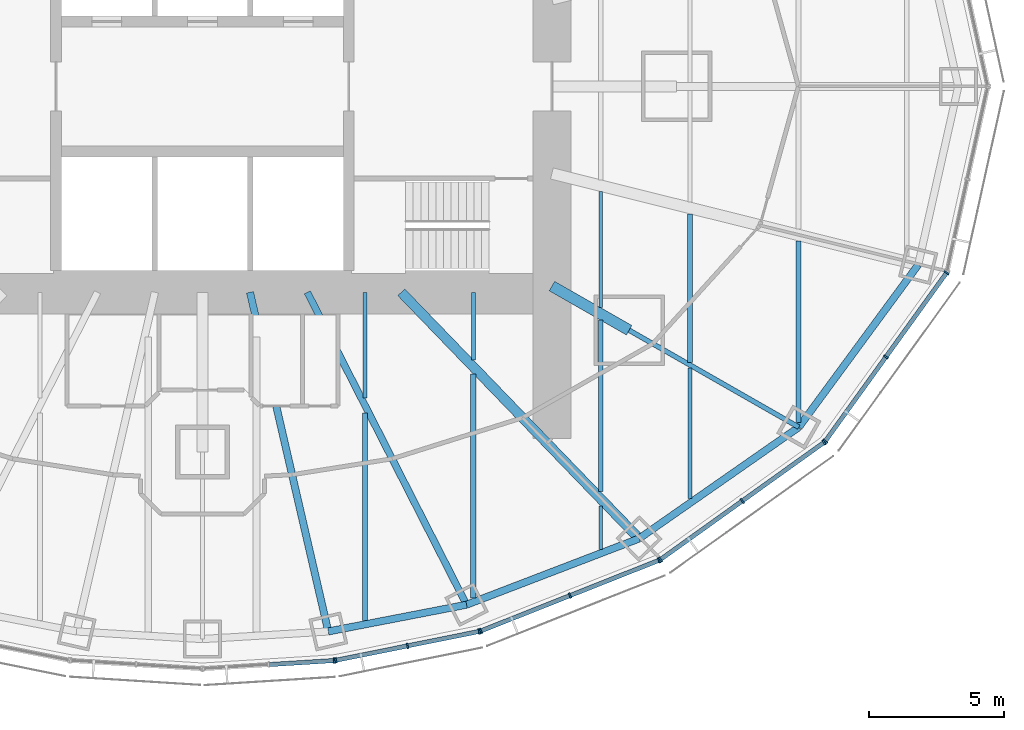
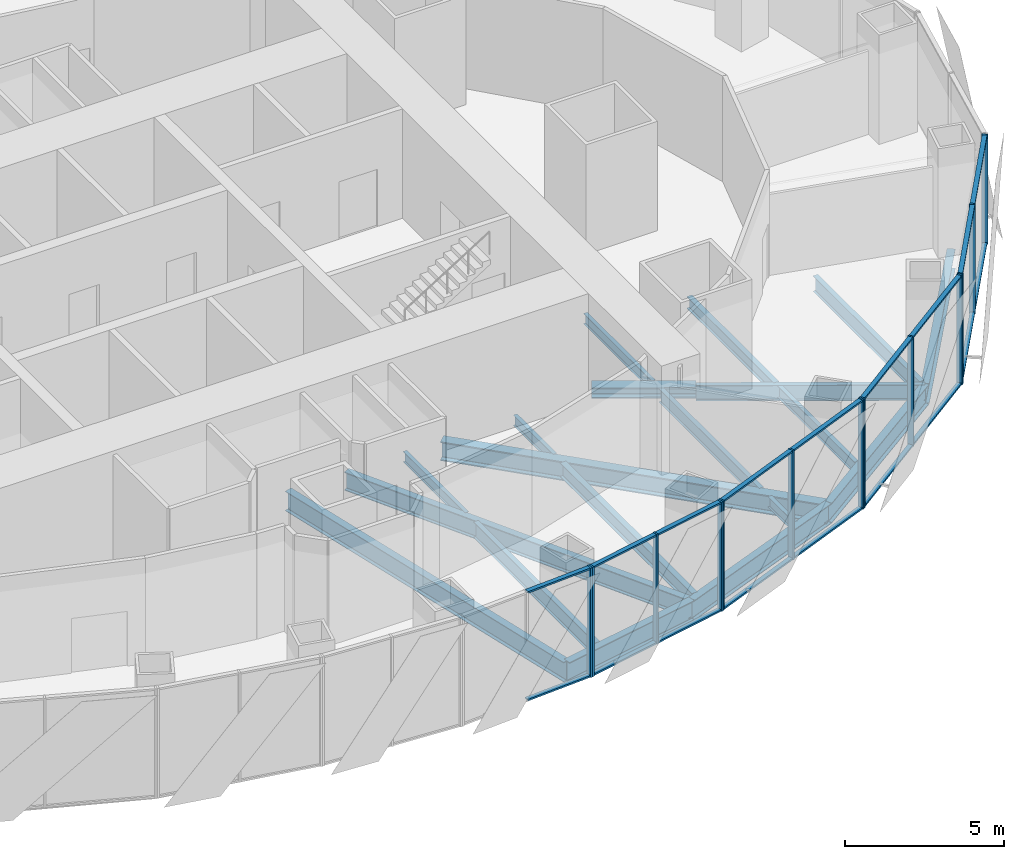
# One storey, part 5 of 17: 31 members, 19 beams, 5 elements without a shape of their own.
"""IFC4 building model written with IfcOpenShell, lengths in metres."""

from ifc_helpers import new_model, si_unit, direction, frame, origin, origin_2d, place, context, subcontext, project, spatial, rectangle, i_section, extrude, material, material_profile, profile_set, type_object, element, aggregate, save


model = new_model("IFC4")

# Units and contexts
model_context = context("Model", 3, precision=1e-05, world=origin(), true_north=direction((0.0, 1.0)))
body_context = subcontext(model_context, "Body", "Model", "MODEL_VIEW")
ifc_project = project(units=[si_unit("LENGTHUNIT", "METRE"), si_unit("AREAUNIT", "SQUARE_METRE"), si_unit("VOLUMEUNIT", "CUBIC_METRE"), si_unit("PLANEANGLEUNIT", "RADIAN"), si_unit("MASSUNIT", "GRAM", prefix="KILO")], contexts=[model_context])

# Site, building, storey
site_placement = place(None, origin())
site = spatial("IfcSite", under=ifc_project, at=site_placement, CompositionType="ELEMENT")
building_placement = place(site_placement, origin())
building = spatial("IfcBuilding", under=site, at=building_placement, Name="Lantaw Convention Tower", CompositionType="ELEMENT")
storey_placement = place(building_placement, frame((0.0, 0.0, 121.60009765625)))
storey = spatial("IfcBuildingStorey", under=building, at=storey_placement, Name="L28", CompositionType="ELEMENT", Elevation=121.60009765625)

# Beams
ifc_material_1 = material(Name="Steel ASTM A992", Category="steel")
ifc_material_profile_1 = material_profile(ifc_material_1, i_section(OverallWidth=0.2666015625, OverallDepth=0.76953125, WebThickness=0.015625, FlangeThickness=0.025390625, FilletRadius=0.0126953125, at=origin_2d()), Name="W30X132")
ifc_profile_set_1 = profile_set([ifc_material_profile_1], Name="Steel ASTM A992")
beam_type_1 = type_object("IfcBeamType", Name="Beam E W30X132", PredefinedType="SPANDREL", material=ifc_profile_set_1)
beam_1_placement = place(storey_placement, frame((4.64501953125, -20.1201171875, -0.534912109375), z_axis=(0.981796805654, 0.189934284446, 0.0), x_axis=(-0.189934284446, 0.981796805654, 0.0)))
element("IfcBeam", 1, at=beam_1_placement, inside=storey, type_object=beam_type_1, Name="Edge beam 20", PredefinedType="SPANDREL", context=body_context, shape_type="SweptSolid", body=[
    extrude(i_section(OverallWidth=0.2666015625, OverallDepth=0.76953125, WebThickness=0.015625, FlangeThickness=0.025390625, FilletRadius=0.0126953125, at=origin_2d()), origin(), (0.0, 0.0, 1.0), 5.1982421875),
])
beam_2_placement = place(storey_placement, frame((9.74853515625, -19.1328125, -0.534912109375), z_axis=(0.933691081977, 0.358079549033, 0.0), x_axis=(-0.358079549033, 0.933691081977, 0.0)))
element("IfcBeam", 2, at=beam_2_placement, inside=storey, type_object=beam_type_1, Name="Edge beam 21", PredefinedType="SPANDREL", context=body_context, shape_type="SweptSolid", body=[
    extrude(i_section(OverallWidth=0.2666015625, OverallDepth=0.76953125, WebThickness=0.015625, FlangeThickness=0.025390625, FilletRadius=0.0126953125, at=origin_2d()), origin(), (0.0, 0.0, 1.0), 6.821533203125),
])
beam_3_placement = place(storey_placement, frame((16.11767578125, -16.690185546875, -0.534912109375), z_axis=(0.820310765287, 0.57191804339, 0.0), x_axis=(-0.57191804339, 0.820310765287, 0.0)))
element("IfcBeam", 3, at=beam_3_placement, inside=storey, type_object=beam_type_1, Name="Edge beam 22", PredefinedType="SPANDREL", context=body_context, shape_type="SweptSolid", body=[
    extrude(i_section(OverallWidth=0.2666015625, OverallDepth=0.76953125, WebThickness=0.015625, FlangeThickness=0.025390625, FilletRadius=0.0126953125, at=origin_2d()), origin(), (0.0, 0.0, 1.0), 7.187744140625),
])
beam_4_placement = place(storey_placement, frame((22.013916015625, -12.579345703125, -0.534912109375), z_axis=(0.5923891972, 0.805651934176, 0.0), x_axis=(-0.805651934176, 0.5923891972, 0.0)))
element("IfcBeam", 4, at=beam_4_placement, inside=storey, type_object=beam_type_1, Name="Edge beam 23", PredefinedType="SPANDREL", context=body_context, shape_type="SweptSolid", body=[
    extrude(i_section(OverallWidth=0.2666015625, OverallDepth=0.76953125, WebThickness=0.015625, FlangeThickness=0.025390625, FilletRadius=0.0126953125, at=origin_2d()), origin(), (0.0, 0.0, 1.0), 7.437744140625),
])
ifc_material_profile_2 = material_profile(ifc_material_1, i_section(OverallWidth=0.177978515625, OverallDepth=0.599365234375, WebThickness=0.010009765625, FlangeThickness=0.012939453125, FilletRadius=0.012939453125, at=origin_2d()), Name="W24X55")
ifc_profile_set_2 = profile_set([ifc_material_profile_2], Name="Steel ASTM A992")
beam_type_2 = type_object("IfcBeamType", Name="Beam G W24X55", PredefinedType="BEAM", material=ifc_profile_set_2)
beam_5_placement = place(storey_placement, frame((15.75, -9.0, -0.44970703125), z_axis=(0.868245224608, -0.496135293993, 0.0), x_axis=(0.496135293993, 0.868245224608, 0.0)))
element("IfcBeam", 5, at=beam_5_placement, inside=storey, type_object=beam_type_2, Name="Floor girder on ray 23", PredefinedType="BEAM", context=body_context, shape_type="SweptSolid", body=[
    extrude(i_section(OverallWidth=0.177978515625, OverallDepth=0.599365234375, WebThickness=0.010009765625, FlangeThickness=0.012939453125, FilletRadius=0.012939453125, at=origin_2d()), origin(), (0.0, 0.0, 1.0), 7.21435546875),
])
ifc_material_profile_3 = material_profile(ifc_material_1, i_section(OverallWidth=0.25390625, OverallDepth=0.700927734375, WebThickness=0.015380859375, FlangeThickness=0.02783203125, FilletRadius=0.01513671875, at=origin_2d()), Name="W27X129")
ifc_profile_set_3 = profile_set([ifc_material_profile_3], Name="Steel ASTM A992")
beam_type_3 = type_object("IfcBeamType", Name="Beam G W27X129", PredefinedType="BEAM", material=ifc_profile_set_3)
beam_6_placement = place(storey_placement, frame((3.872314453125, -7.60009765625, -0.500732421875), z_axis=(0.453991051051, -0.891006243281, 0.0), x_axis=(0.891006243281, 0.453991051051, 0.0)))
element("IfcBeam", 6, at=beam_6_placement, inside=storey, type_object=beam_type_3, Name="Floor girder on ray 21", PredefinedType="BEAM", context=body_context, shape_type="SweptSolid", body=[
    extrude(i_section(OverallWidth=0.25390625, OverallDepth=0.700927734375, WebThickness=0.015380859375, FlangeThickness=0.02783203125, FilletRadius=0.01513671875, at=origin_2d()), origin(), (0.0, 0.0, 1.0), 12.943359375),
])
ifc_material_profile_4 = material_profile(ifc_material_1, i_section(OverallWidth=0.360595703125, OverallDepth=0.72900390625, WebThickness=0.023193359375, FlangeThickness=0.041015625, FilletRadius=0.0126953125, at=origin_2d()), Name="W27X235")
ifc_profile_set_4 = profile_set([ifc_material_profile_4], Name="Steel ASTM A992")
beam_type_4 = type_object("IfcBeamType", Name="Beam G W27X235", PredefinedType="BEAM", material=ifc_profile_set_4)
beam_7_placement = place(storey_placement, frame((7.33935546875, -7.60009765625, -0.5146484375), z_axis=(0.694663467407, -0.719334878239, 0.0), x_axis=(0.719334878239, 0.694663467407, 0.0)))
element("IfcBeam", 7, at=beam_7_placement, inside=storey, type_object=beam_type_4, Name="Floor girder on ray 22", PredefinedType="BEAM", context=body_context, shape_type="SweptSolid", body=[
    extrude(i_section(OverallWidth=0.360595703125, OverallDepth=0.72900390625, WebThickness=0.023193359375, FlangeThickness=0.041015625, FilletRadius=0.0126953125, at=origin_2d()), origin(), (0.0, 0.0, 1.0), 12.63671875),
])
ifc_material_profile_5 = material_profile(ifc_material_1, i_section(OverallWidth=0.2666015625, OverallDepth=0.7568359375, WebThickness=0.013916015625, FlangeThickness=0.019287109375, FilletRadius=0.0126953125, at=origin_2d()), Name="W30X108")
ifc_profile_set_5 = profile_set([ifc_material_profile_5], Name="Steel ASTM A992")
beam_type_5 = type_object("IfcBeamType", Name="Beam G W30X108", PredefinedType="BEAM", material=ifc_profile_set_5)
beam_8_placement = place(storey_placement, frame((1.754638671875, -7.60009765625, -0.528564453125), z_axis=(0.224944153104, -0.974371658036, 0.0), x_axis=(0.974371658036, 0.224944153104, 0.0)))
element("IfcBeam", 8, at=beam_8_placement, inside=storey, type_object=beam_type_5, Name="Floor girder on ray 20", PredefinedType="BEAM", context=body_context, shape_type="SweptSolid", body=[
    extrude(i_section(OverallWidth=0.2666015625, OverallDepth=0.7568359375, WebThickness=0.013916015625, FlangeThickness=0.019287109375, FilletRadius=0.0126953125, at=origin_2d()), origin(), (0.0, 0.0, 1.0), 12.849365234375),
])
ifc_material_profile_6 = material_profile(ifc_material_1, i_section(OverallWidth=0.40380859375, OverallDepth=0.406494140625, WebThickness=0.027099609375, FlangeThickness=0.043701171875, FilletRadius=0.01513671875, at=origin_2d()), Name="W14X233")
ifc_profile_set_6 = profile_set([ifc_material_profile_6], Name="Steel ASTM A992")
beam_type_6 = type_object("IfcBeamType", Name="Beam GM W14X233", PredefinedType="BEAM", material=ifc_profile_set_6)
beam_9_placement = place(storey_placement, frame((12.89990234375, -7.371337890625, -0.353271484375), z_axis=(0.868238565244, -0.496146947811, 0.0), x_axis=(0.496146947811, 0.868238565244, 0.0)))
element("IfcBeam", 9, at=beam_9_placement, inside=storey, type_object=beam_type_6, Name="Core link beam on ray 23", PredefinedType="BEAM", context=body_context, shape_type="SweptSolid", body=[
    extrude(i_section(OverallWidth=0.40380859375, OverallDepth=0.406494140625, WebThickness=0.027099609375, FlangeThickness=0.043701171875, FilletRadius=0.01513671875, at=origin_2d()), origin(), (0.0, 0.0, 1.0), 3.28271484375),
])
ifc_material_profile_7 = material_profile(ifc_material_1, i_section(OverallWidth=0.140380859375, OverallDepth=0.40380859375, WebThickness=0.007080078125, FlangeThickness=0.01123046875, FilletRadius=0.01025390625, at=origin_2d()), Name="W16X31")
ifc_profile_set_7 = profile_set([ifc_material_profile_7], Name="Steel ASTM A992")
beam_type_7 = type_object("IfcBeamType", Name="Beam J W16X31", PredefinedType="JOIST", material=ifc_profile_set_7)
beam_10_placement = place(storey_placement, frame((6.0, -11.495849609375, -0.35205078125), z_axis=(0.0, 1.0, 0.0), x_axis=(-1.0, 0.0, 0.0)))
element("IfcBeam", 10, at=beam_10_placement, inside=storey, type_object=beam_type_7, Name="Floor joist", PredefinedType="JOIST", context=body_context, shape_type="SweptSolid", body=[
    extrude(i_section(OverallWidth=0.140380859375, OverallDepth=0.40380859375, WebThickness=0.007080078125, FlangeThickness=0.01123046875, FilletRadius=0.01025390625, at=origin_2d()), origin(), (0.0, 0.0, 1.0), 3.895751953125),
])
beam_11_placement = place(storey_placement, frame((10.0, -10.095703125, -0.35205078125), z_axis=(0.0, 1.0, 0.0), x_axis=(-1.0, 0.0, 0.0)))
element("IfcBeam", 11, at=beam_11_placement, inside=storey, type_object=beam_type_7, Name="Floor joist", PredefinedType="JOIST", context=body_context, shape_type="SweptSolid", body=[
    extrude(i_section(OverallWidth=0.140380859375, OverallDepth=0.40380859375, WebThickness=0.007080078125, FlangeThickness=0.01123046875, FilletRadius=0.01025390625, at=origin_2d()), origin(), (0.0, 0.0, 1.0), 2.49560546875),
])
beam_12_placement = place(storey_placement, frame((14.699951171875, -17.091064453125, -0.35205078125), z_axis=(0.0, 1.0, 0.0), x_axis=(-1.0, 0.0, 0.0)))
element("IfcBeam", 12, at=beam_12_placement, inside=storey, type_object=beam_type_7, Name="Floor joist", PredefinedType="JOIST", context=body_context, shape_type="SweptSolid", body=[
    extrude(i_section(OverallWidth=0.140380859375, OverallDepth=0.40380859375, WebThickness=0.007080078125, FlangeThickness=0.01123046875, FilletRadius=0.01025390625, at=origin_2d()), origin(), (0.0, 0.0, 1.0), 1.609130859375),
])
beam_13_placement = place(storey_placement, frame((14.699951171875, -8.16748046875, -0.35205078125), z_axis=(0.0, 1.0, 0.0), x_axis=(-1.0, 0.0, 0.0)))
element("IfcBeam", 13, at=beam_13_placement, inside=storey, type_object=beam_type_7, Name="Floor joist", PredefinedType="JOIST", context=body_context, shape_type="SweptSolid", body=[
    extrude(i_section(OverallWidth=0.140380859375, OverallDepth=0.40380859375, WebThickness=0.007080078125, FlangeThickness=0.01123046875, FilletRadius=0.01025390625, at=origin_2d()), origin(), (0.0, 0.0, 1.0), 4.28515625),
])
ifc_material_profile_8 = material_profile(ifc_material_1, i_section(OverallWidth=0.15234375, OverallDepth=0.449462890625, WebThickness=0.007568359375, FlangeThickness=0.0107421875, FilletRadius=0.01025390625, at=origin_2d()), Name="W18X35")
ifc_profile_set_8 = profile_set([ifc_material_profile_8], Name="Steel ASTM A992")
beam_type_8 = type_object("IfcBeamType", Name="Beam J W18X35", PredefinedType="JOIST", material=ifc_profile_set_8)
beam_14_placement = place(storey_placement, frame((18.0, -15.21533203125, -0.375), z_axis=(0.0, 1.0, 0.0), x_axis=(-1.0, 0.0, 0.0)))
element("IfcBeam", 14, at=beam_14_placement, inside=storey, type_object=beam_type_8, Name="Floor joist", PredefinedType="JOIST", context=body_context, shape_type="SweptSolid", body=[
    extrude(i_section(OverallWidth=0.15234375, OverallDepth=0.449462890625, WebThickness=0.007568359375, FlangeThickness=0.0107421875, FilletRadius=0.01025390625, at=origin_2d()), origin(), (0.0, 0.0, 1.0), 4.8271484375),
])
ifc_material_profile_9 = material_profile(ifc_material_1, i_section(OverallWidth=0.1904296875, OverallDepth=0.457275390625, WebThickness=0.009033203125, FlangeThickness=0.014404296875, FilletRadius=0.01025390625, at=origin_2d()), Name="W18X50")
ifc_profile_set_9 = profile_set([ifc_material_profile_9], Name="Steel ASTM A992")
beam_type_9 = type_object("IfcBeamType", Name="Beam J W18X50", PredefinedType="JOIST", material=ifc_profile_set_9)
beam_15_placement = place(storey_placement, frame((18.0, -10.18310546875, -0.378662109375), z_axis=(0.0, 1.0, 0.0), x_axis=(-1.0, 0.0, 0.0)))
element("IfcBeam", 15, at=beam_15_placement, inside=storey, type_object=beam_type_9, Name="Floor joist", PredefinedType="JOIST", context=body_context, shape_type="SweptSolid", body=[
    extrude(i_section(OverallWidth=0.1904296875, OverallDepth=0.457275390625, WebThickness=0.009033203125, FlangeThickness=0.014404296875, FilletRadius=0.01025390625, at=origin_2d()), origin(), (0.0, 0.0, 1.0), 5.47802734375),
])
ifc_material_profile_10 = material_profile(ifc_material_1, i_section(OverallWidth=0.1650390625, OverallDepth=0.52587890625, WebThickness=0.0087890625, FlangeThickness=0.011474609375, FilletRadius=0.0126953125, at=origin_2d()), Name="W21X44")
ifc_profile_set_10 = profile_set([ifc_material_profile_10], Name="Steel ASTM A992")
beam_type_10 = type_object("IfcBeamType", Name="Beam J W21X44", PredefinedType="JOIST", material=ifc_profile_set_10)
beam_16_placement = place(storey_placement, frame((14.699951171875, -14.962646484375, -0.4130859375), z_axis=(0.0, 1.0, 0.0), x_axis=(-1.0, 0.0, 0.0)))
element("IfcBeam", 16, at=beam_16_placement, inside=storey, type_object=beam_type_10, Name="Floor joist", PredefinedType="JOIST", context=body_context, shape_type="SweptSolid", body=[
    extrude(i_section(OverallWidth=0.1650390625, OverallDepth=0.52587890625, WebThickness=0.0087890625, FlangeThickness=0.011474609375, FilletRadius=0.0126953125, at=origin_2d()), origin(), (0.0, 0.0, 1.0), 6.330078125),
])
ifc_material_profile_11 = material_profile(ifc_material_1, i_section(OverallWidth=0.2099609375, OverallDepth=0.535888671875, WebThickness=0.010986328125, FlangeThickness=0.017333984375, FilletRadius=0.012939453125, at=origin_2d()), Name="W21X68")
ifc_profile_set_11 = profile_set([ifc_material_profile_11], Name="Steel ASTM A992")
beam_type_11 = type_object("IfcBeamType", Name="Beam J W21X68", PredefinedType="JOIST", material=ifc_profile_set_11)
beam_17_placement = place(storey_placement, frame((10.0, -18.8935546875, -0.41796875), z_axis=(0.0, 1.0, 0.0), x_axis=(-1.0, 0.0, 0.0)))
element("IfcBeam", 17, at=beam_17_placement, inside=storey, type_object=beam_type_11, Name="Floor joist", PredefinedType="JOIST", context=body_context, shape_type="SweptSolid", body=[
    extrude(i_section(OverallWidth=0.2099609375, OverallDepth=0.535888671875, WebThickness=0.010986328125, FlangeThickness=0.017333984375, FilletRadius=0.012939453125, at=origin_2d()), origin(), (0.0, 0.0, 1.0), 8.278564453125),
])
ifc_material_profile_12 = material_profile(ifc_material_1, i_section(OverallWidth=0.177978515625, OverallDepth=0.599365234375, WebThickness=0.010009765625, FlangeThickness=0.012939453125, FilletRadius=0.012939453125, at=origin_2d()), Name="W24X55")
ifc_profile_set_12 = profile_set([ifc_material_profile_12], Name="Steel ASTM A992")
beam_type_12 = type_object("IfcBeamType", Name="Beam J W24X55", PredefinedType="JOIST", material=ifc_profile_set_12)
beam_18_placement = place(storey_placement, frame((6.0, -19.72216796875, -0.44970703125), z_axis=(0.0, 1.0, 0.0), x_axis=(-1.0, 0.0, 0.0)))
element("IfcBeam", 18, at=beam_18_placement, inside=storey, type_object=beam_type_12, Name="Floor joist", PredefinedType="JOIST", context=body_context, shape_type="SweptSolid", body=[
    extrude(i_section(OverallWidth=0.177978515625, OverallDepth=0.599365234375, WebThickness=0.010009765625, FlangeThickness=0.012939453125, FilletRadius=0.012939453125, at=origin_2d()), origin(), (0.0, 0.0, 1.0), 7.666748046875),
])
beam_19_placement = place(storey_placement, frame((22.0, -12.408935546875, -0.44970703125), z_axis=(0.0, 1.0, 0.0), x_axis=(-1.0, 0.0, 0.0)))
element("IfcBeam", 19, at=beam_19_placement, inside=storey, type_object=beam_type_12, Name="Floor joist", PredefinedType="JOIST", context=body_context, shape_type="SweptSolid", body=[
    extrude(i_section(OverallWidth=0.177978515625, OverallDepth=0.599365234375, WebThickness=0.010009765625, FlangeThickness=0.012939453125, FilletRadius=0.012939453125, at=origin_2d()), origin(), (0.0, 0.0, 1.0), 6.70654296875),
])

# Curtain wall, member
ifc_material_2 = material(Name="Aluminium framed curtain wall", Category="aluminium")
curtain_wall_type = type_object("IfcCurtainWallType", Name="Office curtain wall low rise, pale aluminium", PredefinedType="USERDEFINED", material=ifc_material_2)
curtain_wall_1_placement = place(storey_placement, origin())
curtain_wall_1 = element("IfcCurtainWall", 20, at=curtain_wall_1_placement, inside=storey, type_object=curtain_wall_type, Name="Office curtain wall low rise, pale aluminium L28", ObjectType="UNITISED CURTAIN WALL", PredefinedType="USERDEFINED")
ifc_material_3 = material(Name="Aluminium 6063-T6", Category="aluminium")
ifc_material_profile_13 = material_profile(ifc_material_3, rectangle(XDim=0.199951171875, YDim=0.06494140625, at=origin_2d()), Name="CW-O1 mullion 65x200")
ifc_profile_set_13 = profile_set([ifc_material_profile_13], Name="Aluminium 6063-T6")
member_type_1 = type_object("IfcMemberType", Name="CW-O1 mullion 65x200", PredefinedType="MULLION", material=ifc_profile_set_13)
member_1_placement = place(storey_placement, frame((4.860107421875, -21.19384765625, -0.150146484375), z_axis=(0.0, 0.0, 1.0), x_axis=(-0.062865059466, 0.998022035978, 0.0)))
member_1 = element("IfcMember", 21, at=member_1_placement, type_object=member_type_1, Name="CW-O1 mullion 3", PredefinedType="MULLION", context=body_context, shape_type="SweptSolid", body=[
    extrude(rectangle(XDim=0.199951171875, YDim=0.06494140625, at=origin_2d()), origin(), (0.0, 0.0, 1.0), 4.199951171875),
])

# Curtain wall, members
curtain_wall_2_placement = place(storey_placement, origin())
curtain_wall_2 = element("IfcCurtainWall", 22, at=curtain_wall_2_placement, inside=storey, type_object=curtain_wall_type, Name="Office curtain wall low rise, pale aluminium L28", ObjectType="UNITISED CURTAIN WALL", PredefinedType="USERDEFINED")
member_2_placement = place(storey_placement, frame((4.92431640625, -21.185302734375, -0.150146484375), z_axis=(0.0, 0.0, 1.0), x_axis=(-0.197506809659, 0.980301514912, 0.0)))
member_2 = element("IfcMember", 23, at=member_2_placement, type_object=member_type_1, Name="CW-O1 mullion 1", PredefinedType="MULLION", context=body_context, shape_type="SweptSolid", body=[
    extrude(rectangle(XDim=0.199951171875, YDim=0.06494140625, at=origin_2d()), origin(), (0.0, 0.0, 1.0), 4.199951171875),
])
member_3_placement = place(storey_placement, frame((7.5703125, -20.65234375, -0.150146484375), z_axis=(0.0, 0.0, 1.0), x_axis=(-0.197506809659, 0.980301514912, 0.0)))
member_3 = element("IfcMember", 24, at=member_3_placement, type_object=member_type_1, Name="CW-O1 mullion 2", PredefinedType="MULLION", context=body_context, shape_type="SweptSolid", body=[
    extrude(rectangle(XDim=0.199951171875, YDim=0.06494140625, at=origin_2d()), origin(), (0.0, 0.0, 1.0), 4.199951171875),
])
member_4_placement = place(storey_placement, frame((10.216064453125, -20.119140625, -0.150146484375), z_axis=(0.0, 0.0, 1.0), x_axis=(-0.197506809659, 0.980301514912, 0.0)))
member_4 = element("IfcMember", 25, at=member_4_placement, type_object=member_type_1, Name="CW-O1 mullion 3", PredefinedType="MULLION", context=body_context, shape_type="SweptSolid", body=[
    extrude(rectangle(XDim=0.199951171875, YDim=0.06494140625, at=origin_2d()), origin(), (0.0, 0.0, 1.0), 4.199951171875),
])

curtain_wall_3_placement = place(storey_placement, origin())
curtain_wall_3 = element("IfcCurtainWall", 26, at=curtain_wall_3_placement, inside=storey, type_object=curtain_wall_type, Name="Office curtain wall low rise, pale aluminium L28", ObjectType="UNITISED CURTAIN WALL", PredefinedType="USERDEFINED")
member_5_placement = place(storey_placement, frame((10.2783203125, -20.100830078125, -0.150146484375), z_axis=(0.0, 0.0, 1.0), x_axis=(-0.368701907483, 0.929547687544, 0.0)))
member_5 = element("IfcMember", 27, at=member_5_placement, type_object=member_type_1, Name="CW-O1 mullion 1", PredefinedType="MULLION", context=body_context, shape_type="SweptSolid", body=[
    extrude(rectangle(XDim=0.199951171875, YDim=0.06494140625, at=origin_2d()), origin(), (0.0, 0.0, 1.0), 4.199951171875),
])
member_6_placement = place(storey_placement, frame((13.56494140625, -18.797119140625, -0.150146484375), z_axis=(0.0, 0.0, 1.0), x_axis=(-0.368701907483, 0.929547687544, 0.0)))
member_6 = element("IfcMember", 28, at=member_6_placement, type_object=member_type_1, Name="CW-O1 mullion 2", PredefinedType="MULLION", context=body_context, shape_type="SweptSolid", body=[
    extrude(rectangle(XDim=0.199951171875, YDim=0.06494140625, at=origin_2d()), origin(), (0.0, 0.0, 1.0), 4.199951171875),
])
member_7_placement = place(storey_placement, frame((16.8515625, -17.49365234375, -0.150146484375), z_axis=(0.0, 0.0, 1.0), x_axis=(-0.368701907483, 0.929547687544, 0.0)))
member_7 = element("IfcMember", 29, at=member_7_placement, type_object=member_type_1, Name="CW-O1 mullion 3", PredefinedType="MULLION", context=body_context, shape_type="SweptSolid", body=[
    extrude(rectangle(XDim=0.199951171875, YDim=0.06494140625, at=origin_2d()), origin(), (0.0, 0.0, 1.0), 4.199951171875),
])

curtain_wall_4_placement = place(storey_placement, origin())
curtain_wall_4 = element("IfcCurtainWall", 30, at=curtain_wall_4_placement, inside=storey, type_object=curtain_wall_type, Name="Office curtain wall low rise, pale aluminium L28", ObjectType="UNITISED CURTAIN WALL", PredefinedType="USERDEFINED")
member_8_placement = place(storey_placement, frame((16.908203125, -17.462646484375, -0.150146484375), z_axis=(0.0, 0.0, 1.0), x_axis=(-0.581972695693, 0.813208325995, 0.0)))
member_8 = element("IfcMember", 31, at=member_8_placement, type_object=member_type_1, Name="CW-O1 mullion 1", PredefinedType="MULLION", context=body_context, shape_type="SweptSolid", body=[
    extrude(rectangle(XDim=0.199951171875, YDim=0.06494140625, at=origin_2d()), origin(), (0.0, 0.0, 1.0), 4.199951171875),
])
member_9_placement = place(storey_placement, frame((19.92529296875, -15.303466796875, -0.150146484375), z_axis=(0.0, 0.0, 1.0), x_axis=(-0.581972695693, 0.813208325995, 0.0)))
member_9 = element("IfcMember", 32, at=member_9_placement, type_object=member_type_1, Name="CW-O1 mullion 2", PredefinedType="MULLION", context=body_context, shape_type="SweptSolid", body=[
    extrude(rectangle(XDim=0.199951171875, YDim=0.06494140625, at=origin_2d()), origin(), (0.0, 0.0, 1.0), 4.199951171875),
])
member_10_placement = place(storey_placement, frame((22.942626953125, -13.14404296875, -0.150146484375), z_axis=(0.0, 0.0, 1.0), x_axis=(-0.581972695693, 0.813208325995, 0.0)))
member_10 = element("IfcMember", 33, at=member_10_placement, type_object=member_type_1, Name="CW-O1 mullion 3", PredefinedType="MULLION", context=body_context, shape_type="SweptSolid", body=[
    extrude(rectangle(XDim=0.199951171875, YDim=0.06494140625, at=origin_2d()), origin(), (0.0, 0.0, 1.0), 4.199951171875),
])

curtain_wall_5_placement = place(storey_placement, origin())
curtain_wall_5 = element("IfcCurtainWall", 34, at=curtain_wall_5_placement, inside=storey, type_object=curtain_wall_type, Name="Office curtain wall low rise, pale aluminium L28", ObjectType="UNITISED CURTAIN WALL", PredefinedType="USERDEFINED")
member_11_placement = place(storey_placement, frame((22.988037109375, -13.098876953125, -0.150146484375), z_axis=(0.0, 0.0, 1.0), x_axis=(-0.811384633629, 0.584512597221, 0.0)))
member_11 = element("IfcMember", 35, at=member_11_placement, type_object=member_type_1, Name="CW-O1 mullion 1", PredefinedType="MULLION", context=body_context, shape_type="SweptSolid", body=[
    extrude(rectangle(XDim=0.199951171875, YDim=0.06494140625, at=origin_2d()), origin(), (0.0, 0.0, 1.0), 4.199951171875),
])
member_12_placement = place(storey_placement, frame((25.22802734375, -9.9892578125, -0.150146484375), z_axis=(0.0, 0.0, 1.0), x_axis=(-0.811384633629, 0.584512597221, 0.0)))
member_12 = element("IfcMember", 36, at=member_12_placement, type_object=member_type_1, Name="CW-O1 mullion 2", PredefinedType="MULLION", context=body_context, shape_type="SweptSolid", body=[
    extrude(rectangle(XDim=0.199951171875, YDim=0.06494140625, at=origin_2d()), origin(), (0.0, 0.0, 1.0), 4.199951171875),
])
member_13_placement = place(storey_placement, frame((27.46826171875, -6.879638671875, -0.150146484375), z_axis=(0.0, 0.0, 1.0), x_axis=(-0.811384633629, 0.584512597221, 0.0)))
member_13 = element("IfcMember", 37, at=member_13_placement, type_object=member_type_1, Name="CW-O1 mullion 3", PredefinedType="MULLION", context=body_context, shape_type="SweptSolid", body=[
    extrude(rectangle(XDim=0.199951171875, YDim=0.06494140625, at=origin_2d()), origin(), (0.0, 0.0, 1.0), 4.199951171875),
])

# Member
ifc_material_profile_14 = material_profile(ifc_material_3, rectangle(XDim=0.159912109375, YDim=0.06494140625, at=origin_2d()), Name="CW-O1 transom 65x160")
ifc_profile_set_14 = profile_set([ifc_material_profile_14], Name="Aluminium 6063-T6")
member_type_2 = type_object("IfcMemberType", Name="CW-O1 transom 65x160", PredefinedType="USERDEFINED", material=ifc_profile_set_14)
member_14_placement = place(storey_placement, frame((2.478759765625, -21.34375, -0.11767578125), z_axis=(0.998022188463, 0.062862638625, 0.0), x_axis=(-0.062862638625, 0.998022188463, 0.0)))
member_14 = element("IfcMember", 38, at=member_14_placement, type_object=member_type_2, Name="CW-O1 transom 2.1", ObjectType="TRANSOM", PredefinedType="USERDEFINED", context=body_context, shape_type="SweptSolid", body=[
    extrude(rectangle(XDim=0.159912109375, YDim=0.06494140625, at=origin_2d()), origin(), (0.0, 0.0, 1.0), 2.353515625),
])

member_15_placement = place(storey_placement, frame((2.478759765625, -21.34375, 4.017333984375), z_axis=(0.998022188463, 0.062862638625, 0.0), x_axis=(-0.062862638625, 0.998022188463, 0.0)))
member_15 = element("IfcMember", 39, at=member_15_placement, type_object=member_type_2, Name="CW-O1 transom 2.2", ObjectType="TRANSOM", PredefinedType="USERDEFINED", context=body_context, shape_type="SweptSolid", body=[
    extrude(rectangle(XDim=0.159912109375, YDim=0.06494140625, at=origin_2d()), origin(), (0.0, 0.0, 1.0), 2.353515625),
])

aggregate(curtain_wall_1, [member_1, member_14, member_15])

member_16_placement = place(storey_placement, frame((4.956298828125, -21.178955078125, -0.11767578125), z_axis=(0.980298027092, 0.197524120247, 0.0), x_axis=(-0.197524120247, 0.980298027092, 0.0)))
member_16 = element("IfcMember", 40, at=member_16_placement, type_object=member_type_2, Name="CW-O1 transom 1.1", ObjectType="TRANSOM", PredefinedType="USERDEFINED", context=body_context, shape_type="SweptSolid", body=[
    extrude(rectangle(XDim=0.159912109375, YDim=0.06494140625, at=origin_2d()), origin(), (0.0, 0.0, 1.0), 2.634033203125),
])

member_17_placement = place(storey_placement, frame((4.956298828125, -21.178955078125, 4.017333984375), z_axis=(0.980298027092, 0.197524120247, 0.0), x_axis=(-0.197524120247, 0.980298027092, 0.0)))
member_17 = element("IfcMember", 41, at=member_17_placement, type_object=member_type_2, Name="CW-O1 transom 1.2", ObjectType="TRANSOM", PredefinedType="USERDEFINED", context=body_context, shape_type="SweptSolid", body=[
    extrude(rectangle(XDim=0.159912109375, YDim=0.06494140625, at=origin_2d()), origin(), (0.0, 0.0, 1.0), 2.634033203125),
])

member_18_placement = place(storey_placement, frame((7.60205078125, -20.64599609375, -0.11767578125), z_axis=(0.980301643003, 0.197506173891, 0.0), x_axis=(-0.197506173891, 0.980301643003, 0.0)))
member_18 = element("IfcMember", 42, at=member_18_placement, type_object=member_type_2, Name="CW-O1 transom 2.1", ObjectType="TRANSOM", PredefinedType="USERDEFINED", context=body_context, shape_type="SweptSolid", body=[
    extrude(rectangle(XDim=0.159912109375, YDim=0.06494140625, at=origin_2d()), origin(), (0.0, 0.0, 1.0), 2.63427734375),
])

member_19_placement = place(storey_placement, frame((7.60205078125, -20.64599609375, 4.017333984375), z_axis=(0.980301643003, 0.197506173891, 0.0), x_axis=(-0.197506173891, 0.980301643003, 0.0)))
member_19 = element("IfcMember", 43, at=member_19_placement, type_object=member_type_2, Name="CW-O1 transom 2.2", ObjectType="TRANSOM", PredefinedType="USERDEFINED", context=body_context, shape_type="SweptSolid", body=[
    extrude(rectangle(XDim=0.159912109375, YDim=0.06494140625, at=origin_2d()), origin(), (0.0, 0.0, 1.0), 2.63427734375),
])

aggregate(curtain_wall_2, [member_2, member_3, member_4, member_16, member_17, member_18, member_19])

member_20_placement = place(storey_placement, frame((10.308349609375, -20.0888671875, -0.11767578125), z_axis=(0.929540081544, 0.368721082668, 0.0), x_axis=(-0.368721082668, 0.929540081544, 0.0)))
member_20 = element("IfcMember", 44, at=member_20_placement, type_object=member_type_2, Name="CW-O1 transom 1.1", ObjectType="TRANSOM", PredefinedType="USERDEFINED", context=body_context, shape_type="SweptSolid", body=[
    extrude(rectangle(XDim=0.159912109375, YDim=0.06494140625, at=origin_2d()), origin(), (0.0, 0.0, 1.0), 3.470947265625),
])

member_21_placement = place(storey_placement, frame((10.308349609375, -20.0888671875, 4.017333984375), z_axis=(0.929540081544, 0.368721082668, 0.0), x_axis=(-0.368721082668, 0.929540081544, 0.0)))
member_21 = element("IfcMember", 45, at=member_21_placement, type_object=member_type_2, Name="CW-O1 transom 1.2", ObjectType="TRANSOM", PredefinedType="USERDEFINED", context=body_context, shape_type="SweptSolid", body=[
    extrude(rectangle(XDim=0.159912109375, YDim=0.06494140625, at=origin_2d()), origin(), (0.0, 0.0, 1.0), 3.470947265625),
])

member_22_placement = place(storey_placement, frame((13.594970703125, -18.78515625, -0.11767578125), z_axis=(0.929564188507, 0.368660303592, 0.0), x_axis=(-0.368660303592, 0.929564188507, 0.0)))
member_22 = element("IfcMember", 46, at=member_22_placement, type_object=member_type_2, Name="CW-O1 transom 2.1", ObjectType="TRANSOM", PredefinedType="USERDEFINED", context=body_context, shape_type="SweptSolid", body=[
    extrude(rectangle(XDim=0.159912109375, YDim=0.06494140625, at=origin_2d()), origin(), (0.0, 0.0, 1.0), 3.470703125),
])

member_23_placement = place(storey_placement, frame((13.594970703125, -18.78515625, 4.017333984375), z_axis=(0.929564188507, 0.368660303592, 0.0), x_axis=(-0.368660303592, 0.929564188507, 0.0)))
member_23 = element("IfcMember", 47, at=member_23_placement, type_object=member_type_2, Name="CW-O1 transom 2.2", ObjectType="TRANSOM", PredefinedType="USERDEFINED", context=body_context, shape_type="SweptSolid", body=[
    extrude(rectangle(XDim=0.159912109375, YDim=0.06494140625, at=origin_2d()), origin(), (0.0, 0.0, 1.0), 3.470703125),
])

aggregate(curtain_wall_3, [member_5, member_6, member_7, member_20, member_21, member_22, member_23])

member_24_placement = place(storey_placement, frame((16.9345703125, -17.44384765625, -0.11767578125), z_axis=(0.813190089133, 0.581998177777, 0.0), x_axis=(-0.581998177777, 0.813190089133, 0.0)))
member_24 = element("IfcMember", 48, at=member_24_placement, type_object=member_type_2, Name="CW-O1 transom 1.1", ObjectType="TRANSOM", PredefinedType="USERDEFINED", context=body_context, shape_type="SweptSolid", body=[
    extrude(rectangle(XDim=0.159912109375, YDim=0.06494140625, at=origin_2d()), origin(), (0.0, 0.0, 1.0), 3.645263671875),
])

member_25_placement = place(storey_placement, frame((16.9345703125, -17.44384765625, 4.017333984375), z_axis=(0.813190089133, 0.581998177777, 0.0), x_axis=(-0.581998177777, 0.813190089133, 0.0)))
member_25 = element("IfcMember", 49, at=member_25_placement, type_object=member_type_2, Name="CW-O1 transom 1.2", ObjectType="TRANSOM", PredefinedType="USERDEFINED", context=body_context, shape_type="SweptSolid", body=[
    extrude(rectangle(XDim=0.159912109375, YDim=0.06494140625, at=origin_2d()), origin(), (0.0, 0.0, 1.0), 3.645263671875),
])

member_26_placement = place(storey_placement, frame((19.951904296875, -15.284423828125, -0.11767578125), z_axis=(0.813221785972, 0.581953887194, 0.0), x_axis=(-0.581953887194, 0.813221785972, 0.0)))
member_26 = element("IfcMember", 50, at=member_26_placement, type_object=member_type_2, Name="CW-O1 transom 2.1", ObjectType="TRANSOM", PredefinedType="USERDEFINED", context=body_context, shape_type="SweptSolid", body=[
    extrude(rectangle(XDim=0.159912109375, YDim=0.06494140625, at=origin_2d()), origin(), (0.0, 0.0, 1.0), 3.645263671875),
])

member_27_placement = place(storey_placement, frame((19.951904296875, -15.284423828125, 4.017333984375), z_axis=(0.813221785972, 0.581953887194, 0.0), x_axis=(-0.581953887194, 0.813221785972, 0.0)))
member_27 = element("IfcMember", 51, at=member_27_placement, type_object=member_type_2, Name="CW-O1 transom 2.2", ObjectType="TRANSOM", PredefinedType="USERDEFINED", context=body_context, shape_type="SweptSolid", body=[
    extrude(rectangle(XDim=0.159912109375, YDim=0.06494140625, at=origin_2d()), origin(), (0.0, 0.0, 1.0), 3.645263671875),
])

aggregate(curtain_wall_4, [member_8, member_9, member_10, member_24, member_25, member_26, member_27])

member_28_placement = place(storey_placement, frame((23.007080078125, -13.072509765625, -0.11767578125), z_axis=(0.584512973979, 0.811384362217, 0.0), x_axis=(-0.811384362217, 0.584512973979, 0.0)))
member_28 = element("IfcMember", 52, at=member_28_placement, type_object=member_type_2, Name="CW-O1 transom 1.1", ObjectType="TRANSOM", PredefinedType="USERDEFINED", context=body_context, shape_type="SweptSolid", body=[
    extrude(rectangle(XDim=0.159912109375, YDim=0.06494140625, at=origin_2d()), origin(), (0.0, 0.0, 1.0), 3.767578125),
])

member_29_placement = place(storey_placement, frame((23.007080078125, -13.072509765625, 4.017333984375), z_axis=(0.584512973979, 0.811384362217, 0.0), x_axis=(-0.811384362217, 0.584512973979, 0.0)))
member_29 = element("IfcMember", 53, at=member_29_placement, type_object=member_type_2, Name="CW-O1 transom 1.2", ObjectType="TRANSOM", PredefinedType="USERDEFINED", context=body_context, shape_type="SweptSolid", body=[
    extrude(rectangle(XDim=0.159912109375, YDim=0.06494140625, at=origin_2d()), origin(), (0.0, 0.0, 1.0), 3.767578125),
])

member_30_placement = place(storey_placement, frame((25.2470703125, -9.962890625, -0.11767578125), z_axis=(0.584512973979, 0.811384362217, 0.0), x_axis=(-0.811384362217, 0.584512973979, 0.0)))
member_30 = element("IfcMember", 54, at=member_30_placement, type_object=member_type_2, Name="CW-O1 transom 2.1", ObjectType="TRANSOM", PredefinedType="USERDEFINED", context=body_context, shape_type="SweptSolid", body=[
    extrude(rectangle(XDim=0.159912109375, YDim=0.06494140625, at=origin_2d()), origin(), (0.0, 0.0, 1.0), 3.767578125),
])

member_31_placement = place(storey_placement, frame((25.2470703125, -9.962890625, 4.017333984375), z_axis=(0.584512973979, 0.811384362217, 0.0), x_axis=(-0.811384362217, 0.584512973979, 0.0)))
member_31 = element("IfcMember", 55, at=member_31_placement, type_object=member_type_2, Name="CW-O1 transom 2.2", ObjectType="TRANSOM", PredefinedType="USERDEFINED", context=body_context, shape_type="SweptSolid", body=[
    extrude(rectangle(XDim=0.159912109375, YDim=0.06494140625, at=origin_2d()), origin(), (0.0, 0.0, 1.0), 3.767578125),
])

aggregate(curtain_wall_5, [member_11, member_12, member_13, member_28, member_29, member_30, member_31])

save(model, "model.ifc")
